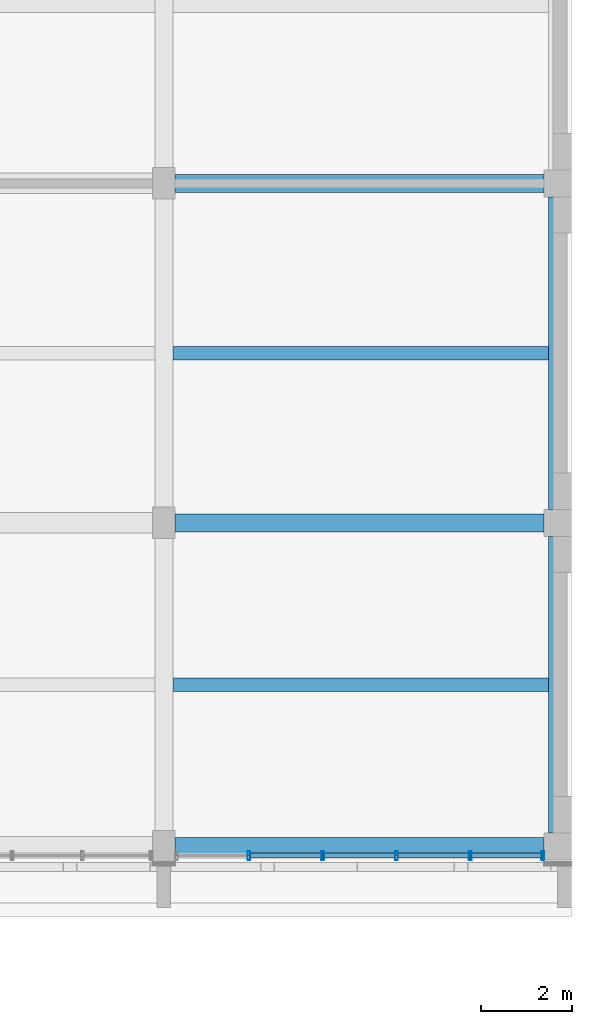
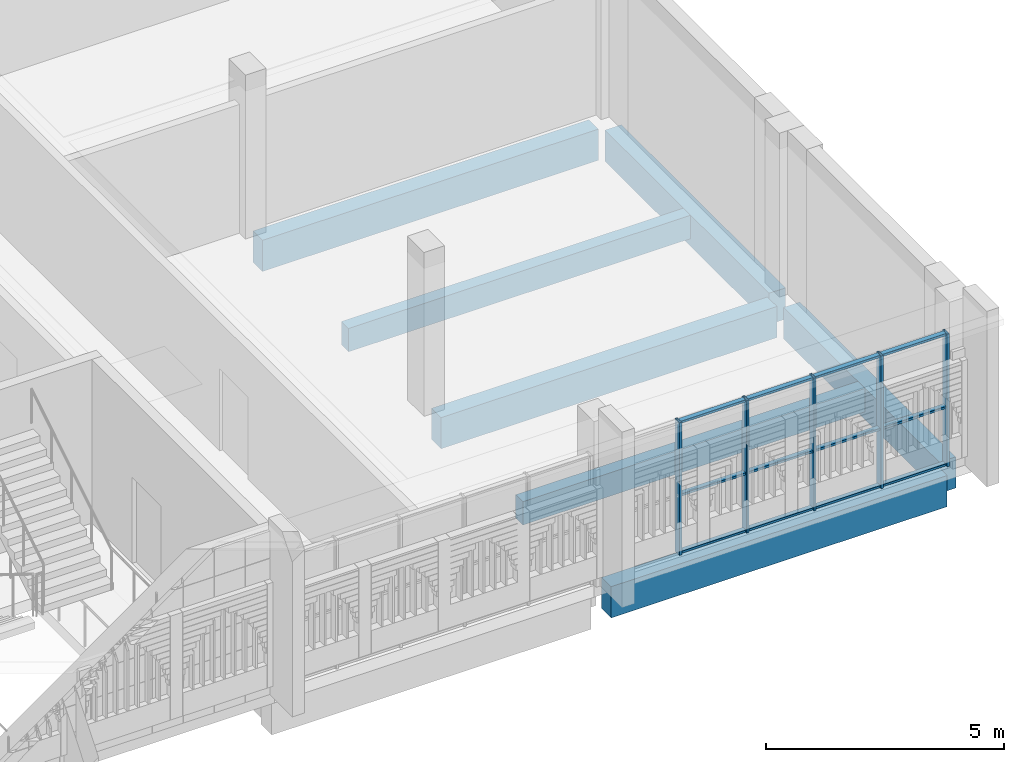
# One storey, part 23 of 92: 17 members, 7 beams, 1 element without a shape of its own.
"""IFC4 building model written with IfcOpenShell, lengths in metres."""

from ifc_helpers import new_model, si_unit, direction, frame, origin, origin_2d, place, context, subcontext, project, spatial, rectangle, hollow_rectangle, extrude, material, material_profile, profile_set, type_object, element, aggregate, save


model = new_model("IFC4")

# Units and contexts
model_context = context("Model", 3, precision=1e-05, world=origin(), true_north=direction((0.0, 1.0)))
body_context = subcontext(model_context, "Body", "Model", "MODEL_VIEW")
ifc_project = project(units=[si_unit("LENGTHUNIT", "METRE"), si_unit("AREAUNIT", "SQUARE_METRE"), si_unit("VOLUMEUNIT", "CUBIC_METRE"), si_unit("PLANEANGLEUNIT", "RADIAN"), si_unit("MASSUNIT", "GRAM", prefix="KILO")], contexts=[model_context])

# Site, building, storey
site_placement = place(None, origin())
site = spatial("IfcSite", under=ifc_project, at=site_placement, CompositionType="ELEMENT")
building_placement = place(site_placement, origin())
building = spatial("IfcBuilding", under=site, at=building_placement, Name="Sun Court Science Centre", CompositionType="ELEMENT")
storey_placement = place(building_placement, frame((0.0, 0.0, 11.25)))
storey = spatial("IfcBuildingStorey", under=building, at=storey_placement, Name="L02", CompositionType="ELEMENT", Elevation=11.25)

# Curtain wall, members
ifc_material_1 = material(Name="Aluminium EN AW-6063 T6", Category="aluminium")
curtain_wall_type = type_object("IfcCurtainWallType", Name="Laboratory tall bay curtain wall 1500", PredefinedType="NOTDEFINED", material=ifc_material_1)
curtain_wall_placement = place(storey_placement, origin())
curtain_wall = element("IfcCurtainWall", 1, at=curtain_wall_placement, inside=storey, type_object=curtain_wall_type, Name="Curtain wall V4 S L02 01", PredefinedType="NOTDEFINED")
ifc_material_2 = material(Name="Aluminium EN AW-6063 T6", Category="aluminium")
ifc_material_profile_1 = material_profile(ifc_material_2, hollow_rectangle(XDim=0.06005859375, YDim=0.199951171875, WallThickness=0.0048828125, InnerFilletRadius=0.0048828125, OuterFilletRadius=0.007568359375, at=origin_2d()), Name="AL 60x200x5")
ifc_profile_set_1 = profile_set([ifc_material_profile_1], Name="Aluminium EN AW-6063 T6")
member_type_1 = type_object("IfcMemberType", Name="Curtain wall mullion AL 60x200", PredefinedType="MULLION", material=ifc_profile_set_1)
member_1_placement = place(storey_placement, frame((96.8798828125, 6.14990234375, 0.0), z_axis=(0.0, 0.0, 1.0), x_axis=(-1.0, 0.0, 0.0)))
member_1 = element("IfcMember", 2, at=member_1_placement, type_object=member_type_1, Name="CW2-51 mullion 5", PredefinedType="MULLION", context=body_context, shape_type="SweptSolid", body=[
    extrude(hollow_rectangle(XDim=0.06005859375, YDim=0.199951171875, WallThickness=0.0048828125, InnerFilletRadius=0.0048828125, OuterFilletRadius=0.007568359375, at=origin_2d()), origin(), (0.0, 0.0, 1.0), 3.39990234375),
])
member_2_placement = place(storey_placement, frame((98.510009765625, 6.14990234375, 0.0), z_axis=(0.0, 0.0, 1.0), x_axis=(-1.0, 0.0, 0.0)))
member_2 = element("IfcMember", 3, at=member_2_placement, type_object=member_type_1, Name="CW2-51 mullion 4", PredefinedType="MULLION", context=body_context, shape_type="SweptSolid", body=[
    extrude(hollow_rectangle(XDim=0.06005859375, YDim=0.199951171875, WallThickness=0.0048828125, InnerFilletRadius=0.0048828125, OuterFilletRadius=0.007568359375, at=origin_2d()), origin(), (0.0, 0.0, 1.0), 3.39990234375),
])
member_3_placement = place(storey_placement, frame((100.139892578125, 6.14990234375, 0.0), z_axis=(0.0, 0.0, 1.0), x_axis=(-1.0, 0.0, 0.0)))
member_3 = element("IfcMember", 4, at=member_3_placement, type_object=member_type_1, Name="CW2-51 mullion 3", PredefinedType="MULLION", context=body_context, shape_type="SweptSolid", body=[
    extrude(hollow_rectangle(XDim=0.06005859375, YDim=0.199951171875, WallThickness=0.0048828125, InnerFilletRadius=0.0048828125, OuterFilletRadius=0.007568359375, at=origin_2d()), origin(), (0.0, 0.0, 1.0), 3.39990234375),
])
member_4_placement = place(storey_placement, frame((101.77001953125, 6.14990234375, 0.0), z_axis=(0.0, 0.0, 1.0), x_axis=(-1.0, 0.0, 0.0)))
member_4 = element("IfcMember", 5, at=member_4_placement, type_object=member_type_1, Name="CW2-51 mullion 2", PredefinedType="MULLION", context=body_context, shape_type="SweptSolid", body=[
    extrude(hollow_rectangle(XDim=0.06005859375, YDim=0.199951171875, WallThickness=0.0048828125, InnerFilletRadius=0.0048828125, OuterFilletRadius=0.007568359375, at=origin_2d()), origin(), (0.0, 0.0, 1.0), 3.39990234375),
])
member_5_placement = place(storey_placement, frame((103.3701171875, 6.14990234375, 0.0), z_axis=(0.0, 0.0, 1.0), x_axis=(-1.0, 0.0, 0.0)))
member_5 = element("IfcMember", 6, at=member_5_placement, type_object=member_type_1, Name="CW2-51 mullion 1", PredefinedType="MULLION", context=body_context, shape_type="SweptSolid", body=[
    extrude(hollow_rectangle(XDim=0.06005859375, YDim=0.199951171875, WallThickness=0.0048828125, InnerFilletRadius=0.0048828125, OuterFilletRadius=0.007568359375, at=origin_2d()), origin(), (0.0, 0.0, 1.0), 3.39990234375),
])
ifc_material_3 = material(Name="Aluminium EN AW-6063 T6", Category="aluminium")
ifc_material_profile_2 = material_profile(ifc_material_3, hollow_rectangle(XDim=0.06005859375, YDim=0.1201171875, WallThickness=0.00390625, InnerFilletRadius=0.00390625, OuterFilletRadius=0.006103515625, at=origin_2d()), Name="AL 60x120x4")
ifc_profile_set_2 = profile_set([ifc_material_profile_2], Name="Aluminium EN AW-6063 T6")
member_type_2 = type_object("IfcMemberType", Name="Curtain wall transom AL 60x120", PredefinedType="USERDEFINED", material=ifc_profile_set_2)
member_6_placement = place(storey_placement, frame((98.47998046875, 6.14990234375, 0.030029296875), z_axis=(-1.0, 0.0, 0.0), x_axis=(0.0, 0.0, 1.0)))
member_6 = element("IfcMember", 7, at=member_6_placement, type_object=member_type_2, Name="CW2-51 transom 4.1", ObjectType="TRANSOM", PredefinedType="USERDEFINED", context=body_context, shape_type="SweptSolid", body=[
    extrude(hollow_rectangle(XDim=0.06005859375, YDim=0.1201171875, WallThickness=0.00390625, InnerFilletRadius=0.00390625, OuterFilletRadius=0.006103515625, at=origin_2d()), origin(), (0.0, 0.0, 1.0), 1.570068359375),
])
member_7_placement = place(storey_placement, frame((100.110107421875, 6.14990234375, 0.030029296875), z_axis=(-1.0, 0.0, 0.0), x_axis=(0.0, 0.0, 1.0)))
member_7 = element("IfcMember", 8, at=member_7_placement, type_object=member_type_2, Name="CW2-51 transom 3.1", ObjectType="TRANSOM", PredefinedType="USERDEFINED", context=body_context, shape_type="SweptSolid", body=[
    extrude(hollow_rectangle(XDim=0.06005859375, YDim=0.1201171875, WallThickness=0.00390625, InnerFilletRadius=0.00390625, OuterFilletRadius=0.006103515625, at=origin_2d()), origin(), (0.0, 0.0, 1.0), 1.570068359375),
])
member_8_placement = place(storey_placement, frame((101.739990234375, 6.14990234375, 0.030029296875), z_axis=(-1.0, 0.0, 0.0), x_axis=(0.0, 0.0, 1.0)))
member_8 = element("IfcMember", 9, at=member_8_placement, type_object=member_type_2, Name="CW2-51 transom 2.1", ObjectType="TRANSOM", PredefinedType="USERDEFINED", context=body_context, shape_type="SweptSolid", body=[
    extrude(hollow_rectangle(XDim=0.06005859375, YDim=0.1201171875, WallThickness=0.00390625, InnerFilletRadius=0.00390625, OuterFilletRadius=0.006103515625, at=origin_2d()), origin(), (0.0, 0.0, 1.0), 1.570068359375),
])
member_9_placement = place(storey_placement, frame((103.340087890625, 6.14990234375, 0.030029296875), z_axis=(-1.0, 0.0, 0.0), x_axis=(0.0, 0.0, 1.0)))
member_9 = element("IfcMember", 10, at=member_9_placement, type_object=member_type_2, Name="CW2-51 transom 1.1", ObjectType="TRANSOM", PredefinedType="USERDEFINED", context=body_context, shape_type="SweptSolid", body=[
    extrude(hollow_rectangle(XDim=0.06005859375, YDim=0.1201171875, WallThickness=0.00390625, InnerFilletRadius=0.00390625, OuterFilletRadius=0.006103515625, at=origin_2d()), origin(), (0.0, 0.0, 1.0), 1.5400390625),
])
member_10_placement = place(storey_placement, frame((98.47998046875, 6.14990234375, 1.5), z_axis=(-1.0, 0.0, 0.0), x_axis=(0.0, 0.0, 1.0)))
member_10 = element("IfcMember", 11, at=member_10_placement, type_object=member_type_2, Name="CW2-51 transom 4.2", ObjectType="TRANSOM", PredefinedType="USERDEFINED", context=body_context, shape_type="SweptSolid", body=[
    extrude(hollow_rectangle(XDim=0.06005859375, YDim=0.1201171875, WallThickness=0.00390625, InnerFilletRadius=0.00390625, OuterFilletRadius=0.006103515625, at=origin_2d()), origin(), (0.0, 0.0, 1.0), 1.570068359375),
])
member_11_placement = place(storey_placement, frame((100.110107421875, 6.14990234375, 1.5), z_axis=(-1.0, 0.0, 0.0), x_axis=(0.0, 0.0, 1.0)))
member_11 = element("IfcMember", 12, at=member_11_placement, type_object=member_type_2, Name="CW2-51 transom 3.2", ObjectType="TRANSOM", PredefinedType="USERDEFINED", context=body_context, shape_type="SweptSolid", body=[
    extrude(hollow_rectangle(XDim=0.06005859375, YDim=0.1201171875, WallThickness=0.00390625, InnerFilletRadius=0.00390625, OuterFilletRadius=0.006103515625, at=origin_2d()), origin(), (0.0, 0.0, 1.0), 1.570068359375),
])
member_12_placement = place(storey_placement, frame((101.739990234375, 6.14990234375, 1.5), z_axis=(-1.0, 0.0, 0.0), x_axis=(0.0, 0.0, 1.0)))
member_12 = element("IfcMember", 13, at=member_12_placement, type_object=member_type_2, Name="CW2-51 transom 2.2", ObjectType="TRANSOM", PredefinedType="USERDEFINED", context=body_context, shape_type="SweptSolid", body=[
    extrude(hollow_rectangle(XDim=0.06005859375, YDim=0.1201171875, WallThickness=0.00390625, InnerFilletRadius=0.00390625, OuterFilletRadius=0.006103515625, at=origin_2d()), origin(), (0.0, 0.0, 1.0), 1.570068359375),
])
member_13_placement = place(storey_placement, frame((103.340087890625, 6.14990234375, 1.5), z_axis=(-1.0, 0.0, 0.0), x_axis=(0.0, 0.0, 1.0)))
member_13 = element("IfcMember", 14, at=member_13_placement, type_object=member_type_2, Name="CW2-51 transom 1.2", ObjectType="TRANSOM", PredefinedType="USERDEFINED", context=body_context, shape_type="SweptSolid", body=[
    extrude(hollow_rectangle(XDim=0.06005859375, YDim=0.1201171875, WallThickness=0.00390625, InnerFilletRadius=0.00390625, OuterFilletRadius=0.006103515625, at=origin_2d()), origin(), (0.0, 0.0, 1.0), 1.5400390625),
])
member_14_placement = place(storey_placement, frame((98.47998046875, 6.14990234375, 3.3701171875), z_axis=(-1.0, 0.0, 0.0), x_axis=(0.0, 0.0, 1.0)))
member_14 = element("IfcMember", 15, at=member_14_placement, type_object=member_type_2, Name="CW2-51 transom 4.3", ObjectType="TRANSOM", PredefinedType="USERDEFINED", context=body_context, shape_type="SweptSolid", body=[
    extrude(hollow_rectangle(XDim=0.06005859375, YDim=0.1201171875, WallThickness=0.00390625, InnerFilletRadius=0.00390625, OuterFilletRadius=0.006103515625, at=origin_2d()), origin(), (0.0, 0.0, 1.0), 1.570068359375),
])
member_15_placement = place(storey_placement, frame((100.110107421875, 6.14990234375, 3.3701171875), z_axis=(-1.0, 0.0, 0.0), x_axis=(0.0, 0.0, 1.0)))
member_15 = element("IfcMember", 16, at=member_15_placement, type_object=member_type_2, Name="CW2-51 transom 3.3", ObjectType="TRANSOM", PredefinedType="USERDEFINED", context=body_context, shape_type="SweptSolid", body=[
    extrude(hollow_rectangle(XDim=0.06005859375, YDim=0.1201171875, WallThickness=0.00390625, InnerFilletRadius=0.00390625, OuterFilletRadius=0.006103515625, at=origin_2d()), origin(), (0.0, 0.0, 1.0), 1.570068359375),
])
member_16_placement = place(storey_placement, frame((101.739990234375, 6.14990234375, 3.3701171875), z_axis=(-1.0, 0.0, 0.0), x_axis=(0.0, 0.0, 1.0)))
member_16 = element("IfcMember", 17, at=member_16_placement, type_object=member_type_2, Name="CW2-51 transom 2.3", ObjectType="TRANSOM", PredefinedType="USERDEFINED", context=body_context, shape_type="SweptSolid", body=[
    extrude(hollow_rectangle(XDim=0.06005859375, YDim=0.1201171875, WallThickness=0.00390625, InnerFilletRadius=0.00390625, OuterFilletRadius=0.006103515625, at=origin_2d()), origin(), (0.0, 0.0, 1.0), 1.570068359375),
])
member_17_placement = place(storey_placement, frame((103.340087890625, 6.14990234375, 3.3701171875), z_axis=(-1.0, 0.0, 0.0), x_axis=(0.0, 0.0, 1.0)))
member_17 = element("IfcMember", 18, at=member_17_placement, type_object=member_type_2, Name="CW2-51 transom 1.3", ObjectType="TRANSOM", PredefinedType="USERDEFINED", context=body_context, shape_type="SweptSolid", body=[
    extrude(hollow_rectangle(XDim=0.06005859375, YDim=0.1201171875, WallThickness=0.00390625, InnerFilletRadius=0.00390625, OuterFilletRadius=0.006103515625, at=origin_2d()), origin(), (0.0, 0.0, 1.0), 1.5400390625),
])
aggregate(curtain_wall, [member_1, member_2, member_3, member_4, member_5, member_6, member_7, member_8, member_9, member_10, member_11, member_12, member_13, member_14, member_15, member_16, member_17])

# Beams
ifc_material_4 = material(Name="Concrete C25/30", Category="concrete")
ifc_material_profile_3 = material_profile(ifc_material_4, rectangle(XDim=0.39990234375, YDim=0.800048828125, at=origin_2d()), Name="RC 400x800")
ifc_profile_set_3 = profile_set([ifc_material_profile_3], Name="Concrete C25/30")
beam_type_1 = type_object("IfcBeamType", Name="RC girder 400x800", PredefinedType="BEAM", material=ifc_profile_set_3)
for number, where, z_axis, x_axis, name in (
    (19, (95.25, 6.35009765625, -0.699951171875), (1.0, 0.0, 0.0), (0.0, 1.0, 0.0), "Girder L02 row 1"),
    (20, (95.25, 13.5, -0.699951171875), (1.0, 0.0, 0.0), (0.0, 1.0, 0.0), "Girder L02 row 2"),
    (21, (95.25, 21.0, -0.699951171875), (1.0, 0.0, 0.0), (0.0, 1.0, 0.0), "Girder L02 row 3"),
):
    element("IfcBeam", number, at=place(storey_placement, frame(where, z_axis=z_axis, x_axis=x_axis)), inside=storey, type_object=beam_type_1, Name=name, PredefinedType="BEAM", context=body_context, shape_type="SweptSolid", body=[
        extrude(rectangle(XDim=0.39990234375, YDim=0.800048828125, at=origin_2d()), origin(), (0.0, 0.0, 1.0), 8.14990234375),
    ])
beam_1_placement = place(storey_placement, frame((103.699951171875, 6.64990234375, -0.699951171875), z_axis=(0.0, 1.0, 0.0), x_axis=(-1.0, 0.0, 0.0)))
element("IfcBeam", 22, at=beam_1_placement, inside=storey, type_object=beam_type_1, Name="Girder L02 line 4", PredefinedType="BEAM", context=body_context, shape_type="SweptSolid", body=[
    extrude(rectangle(XDim=0.39990234375, YDim=0.800048828125, at=origin_2d()), origin(), (0.0, 0.0, 1.0), 6.550048828125),
])
beam_2_placement = place(storey_placement, frame((103.699951171875, 13.800048828125, -0.699951171875), z_axis=(0.0, 1.0, 0.0), x_axis=(-1.0, 0.0, 0.0)))
element("IfcBeam", 23, at=beam_2_placement, inside=storey, type_object=beam_type_1, Name="Girder L02 line 4", PredefinedType="BEAM", context=body_context, shape_type="SweptSolid", body=[
    extrude(rectangle(XDim=0.39990234375, YDim=0.800048828125, at=origin_2d()), origin(), (0.0, 0.0, 1.0), 6.89990234375),
])
ifc_material_5 = material(Name="Concrete C25/30", Category="concrete")
ifc_material_profile_4 = material_profile(ifc_material_5, rectangle(XDim=0.300048828125, YDim=0.60009765625, at=origin_2d()), Name="RC 300x600")
ifc_profile_set_4 = profile_set([ifc_material_profile_4], Name="Concrete C25/30")
beam_type_2 = type_object("IfcBeamType", Name="RC joist 300x600", PredefinedType="JOIST", material=ifc_profile_set_4)
for number, where, z_axis, x_axis, name in (
    (24, (95.199951171875, 9.925048828125, -0.60009765625), (1.0, 0.0, 0.0), (0.0, 1.0, 0.0), "Joist L02"),
    (25, (95.199951171875, 17.25, -0.60009765625), (1.0, 0.0, 0.0), (0.0, 1.0, 0.0), "Joist L02"),
):
    element("IfcBeam", number, at=place(storey_placement, frame(where, z_axis=z_axis, x_axis=x_axis)), inside=storey, type_object=beam_type_2, Name=name, PredefinedType="JOIST", context=body_context, shape_type="SweptSolid", body=[
        extrude(rectangle(XDim=0.300048828125, YDim=0.60009765625, at=origin_2d()), origin(), (0.0, 0.0, 1.0), 8.300048828125),
    ])

save(model, "model.ifc")
